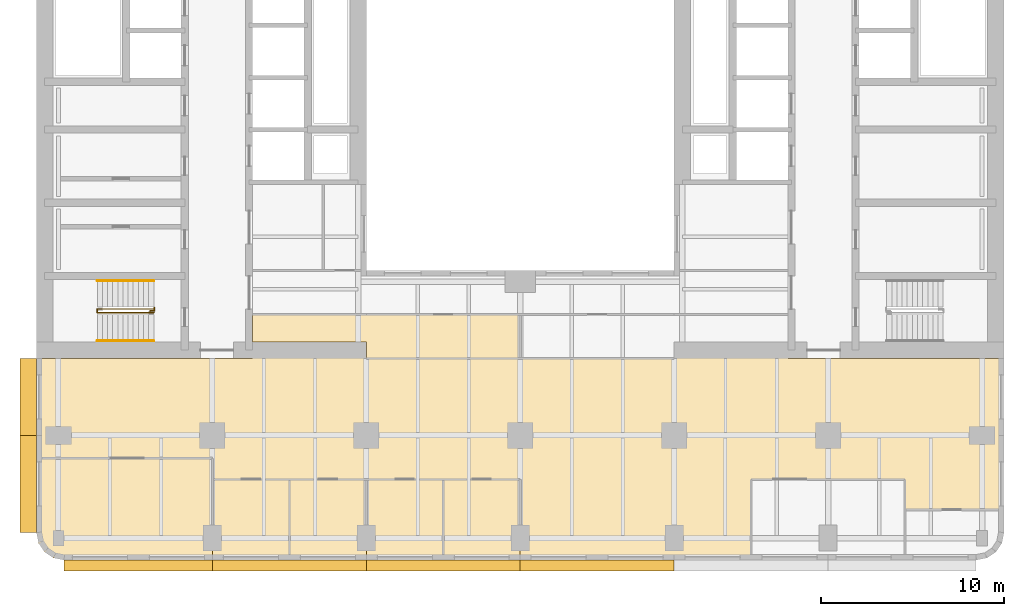
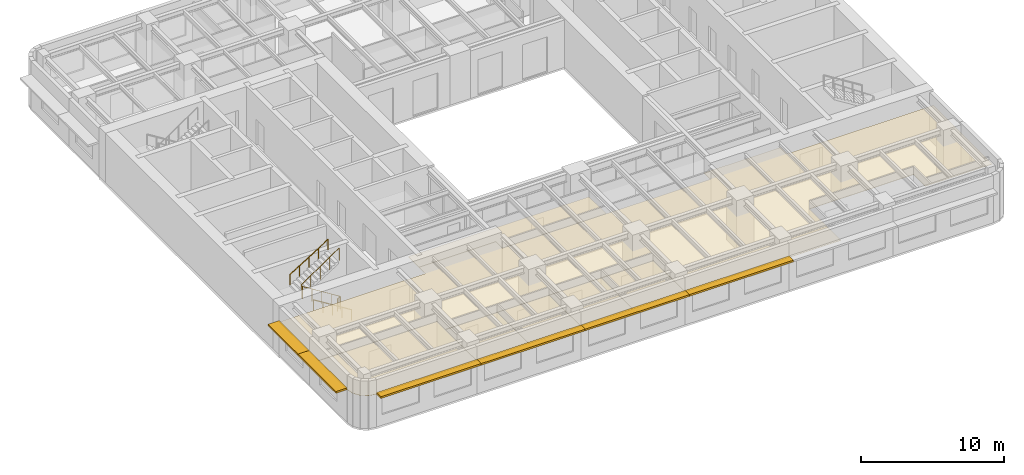
# One storey, part 9 of 11: 7 coverings, 6 shading devices, 4 railings.
"""IFC4 building model written with IfcOpenShell, lengths in metres."""

from ifc_helpers import new_model, si_unit, direction, frame, origin, origin_2d, place, context, subcontext, project, spatial, polyline, rectangle, circle, outline, extrude, material, layer, layer_set, type_object, element, save


model = new_model("IFC4")

# Units and contexts
model_context = context("Model", 3, precision=1e-05, world=origin(), true_north=direction((0.0, 1.0)))
body_context = subcontext(model_context, "Body", "Model", "MODEL_VIEW")
ifc_project = project(units=[si_unit("LENGTHUNIT", "METRE"), si_unit("AREAUNIT", "SQUARE_METRE"), si_unit("VOLUMEUNIT", "CUBIC_METRE"), si_unit("PLANEANGLEUNIT", "RADIAN"), si_unit("MASSUNIT", "GRAM", prefix="KILO")], contexts=[model_context])

# Site, building, storey
site_placement = place(None, origin())
site = spatial("IfcSite", under=ifc_project, at=site_placement, CompositionType="ELEMENT")
building_placement = place(site_placement, origin())
building = spatial("IfcBuilding", under=site, at=building_placement, Name="Claustro Exchange Tower", CompositionType="ELEMENT")
storey_placement = place(building_placement, frame((0.0, 0.0, 121.800048828125)))
storey = spatial("IfcBuildingStorey", under=building, at=storey_placement, Name="L27", CompositionType="ELEMENT", Elevation=121.800048828125)

# Coverings
ifc_material_1 = material(Name="Perforated metal ceiling tiles", Category="steel")
ifc_layer_1 = layer(ifc_material_1, 0.030029296875)
ifc_layer_set_1 = layer_set([ifc_layer_1], Name="Perforated metal ceiling tiles")
covering_type_1 = type_object("IfcCoveringType", Name="CL1 suspended metal ceiling", PredefinedType="CEILING", material=ifc_layer_set_1)
covering_1_placement = place(storey_placement, frame((0.0, 0.0, 2.800048828125)))
element("IfcCovering", 1, at=covering_1_placement, inside=storey, type_object=covering_type_1, Name="Ceiling CL1 L27-08", PredefinedType="CEILING", context=body_context, shape_type="SweptSolid", body=[
    extrude(outline(polyline([(10.60009765625, 12.60009765625), (-1.199951171875, 12.60009765625), (-1.199951171875, 7.14990234375), (8.39990234375, 7.14990234375), (8.39990234375, 6.0), (12.60009765625, 6.0), (16.800048828125, 6.0), (21.0, 6.0), (25.199951171875, 6.0), (25.199951171875, 1.60009765625), (37.800048828125, 1.60009765625), (37.800048828125, 6.0), (46.199951171875, 6.0), (46.199951171875, 4.35009765625), (51.60009765625, 4.35009765625), (51.60009765625, 12.60009765625), (39.800048828125, 12.60009765625), (39.800048828125, 13.5), (33.60009765625, 13.5), (33.60009765625, 12.60009765625), (25.199951171875, 12.60009765625), (16.800048828125, 12.60009765625), (16.800048828125, 13.5), (10.60009765625, 13.5), (10.60009765625, 12.60009765625)])), origin(), (0.0, 0.0, 1.0), 0.02978515625),
])
ifc_material_2 = material(Name="Gypsum board ceiling", Category="gypsum board")
ifc_layer_2 = layer(ifc_material_2, 0.02490234375)
ifc_layer_set_2 = layer_set([ifc_layer_2], Name="Gypsum board ceiling")
covering_type_2 = type_object("IfcCoveringType", Name="CL2 plasterboard ceiling", PredefinedType="CEILING", material=ifc_layer_set_2)
covering_2_placement = place(storey_placement, frame((0.0, 0.0, 2.800048828125)))
element("IfcCovering", 2, at=covering_2_placement, inside=storey, type_object=covering_type_2, Name="Ceiling CL2 L27-02", PredefinedType="CEILING", context=body_context, shape_type="SweptSolid", body=[
    extrude(outline(polyline([(8.39990234375, 1.60009765625), (12.60009765625, 1.60009765625), (12.60009765625, 6.0), (8.39990234375, 6.0), (8.39990234375, 1.60009765625)])), origin(), (0.0, 0.0, 1.0), 0.02490234375),
])
covering_3_placement = place(storey_placement, frame((0.0, 0.0, 2.800048828125)))
element("IfcCovering", 3, at=covering_3_placement, inside=storey, type_object=covering_type_2, Name="Ceiling CL2 L27-03", PredefinedType="CEILING", context=body_context, shape_type="SweptSolid", body=[
    extrude(outline(polyline([(12.60009765625, 1.60009765625), (16.800048828125, 1.60009765625), (16.800048828125, 6.0), (12.60009765625, 6.0), (12.60009765625, 1.60009765625)])), origin(), (0.0, 0.0, 1.0), 0.02490234375),
])
covering_4_placement = place(storey_placement, frame((0.0, 0.0, 2.800048828125)))
element("IfcCovering", 4, at=covering_4_placement, inside=storey, type_object=covering_type_2, Name="Ceiling CL2 L27-04", PredefinedType="CEILING", context=body_context, shape_type="SweptSolid", body=[
    extrude(outline(polyline([(16.800048828125, 1.60009765625), (21.0, 1.60009765625), (21.0, 6.0), (16.800048828125, 6.0), (16.800048828125, 1.60009765625)])), origin(), (0.0, 0.0, 1.0), 0.02490234375),
])
covering_5_placement = place(storey_placement, frame((0.0, 0.0, 2.800048828125)))
element("IfcCovering", 5, at=covering_5_placement, inside=storey, type_object=covering_type_2, Name="Ceiling CL2 L27-05", PredefinedType="CEILING", context=body_context, shape_type="SweptSolid", body=[
    extrude(outline(polyline([(21.0, 1.60009765625), (25.199951171875, 1.60009765625), (25.199951171875, 6.0), (21.0, 6.0), (21.0, 1.60009765625)])), origin(), (0.0, 0.0, 1.0), 0.02490234375),
])
covering_6_placement = place(storey_placement, frame((0.0, 0.0, 2.800048828125)))
element("IfcCovering", 6, at=covering_6_placement, inside=storey, type_object=covering_type_2, Name="Ceiling CL2 L27-07", PredefinedType="CEILING", context=body_context, shape_type="SweptSolid", body=[
    extrude(outline(polyline([(-1.085693359375, 2.52587890625), (-0.7607421875, 2.039306640625), (-0.27392578125, 1.714111328125), (0.300048828125, 1.60009765625), (8.39990234375, 1.60009765625), (8.39990234375, 7.14990234375), (-1.199951171875, 7.14990234375), (-1.199951171875, 3.10009765625), (-1.085693359375, 2.52587890625)])), origin(), (0.0, 0.0, 1.0), 0.02490234375),
])
covering_7_placement = place(storey_placement, frame((0.0, 0.0, 2.800048828125)))
element("IfcCovering", 7, at=covering_7_placement, inside=storey, type_object=covering_type_2, Name="Ceiling CL2 L27-09", PredefinedType="CEILING", context=body_context, shape_type="SweptSolid", body=[
    extrude(outline(polyline([(10.60009765625, 15.0), (10.60009765625, 13.5), (16.800048828125, 13.5), (16.800048828125, 12.60009765625), (25.199951171875, 12.60009765625), (25.199951171875, 15.0), (16.800048828125, 15.0), (16.800048828125, 15.0), (10.60009765625, 15.0)])), origin(), (0.0, 0.0, 1.0), 0.02490234375),
])

# Railings
ifc_material_3 = material(Name="Steel balustrade, painted", Category="steel")
railing_type_1 = type_object("IfcRailingType", Name="GR2 1100 steel stair guard", PredefinedType="GUARDRAIL", material=ifc_material_3)
railing_1_placement = place(storey_placement, frame((5.199951171875, 15.10009765625, 0.175048828125)))
element("IfcRailing", 8, at=railing_1_placement, inside=storey, type_object=railing_type_1, Name="Stair well guard GR2 stair STWA L27", PredefinedType="GUARDRAIL", context=body_context, shape_type="SweptSolid", body=[
    extrude(circle(Radius=0.02392578125, at=origin_2d()), frame((0.0, 0.0, 1.076171875), z_axis=(-0.848009633417, 0.0, 0.529980812513), x_axis=(0.0, -1.0, 0.0)), (0.0, 0.0, 1.0), 3.6318359375),
    extrude(circle(Radius=0.02392578125, at=origin_2d()), frame((-3.079833984375, 0.0, 3.0009765625), z_axis=(0.0, 1.0, 0.0), x_axis=(-1.0, 0.0, 0.0)), (0.0, 0.0, 1.0), 0.199951171875),
    extrude(circle(Radius=0.02392578125, at=origin_2d()), frame((-3.079833984375, 0.199951171875, 3.0009765625), z_axis=(0.826201015165, 0.0, 0.563375436579), x_axis=(0.0, 1.0, 0.0)), (0.0, 0.0, 1.0), 3.727783203125),
    extrude(circle(Radius=0.02099609375, at=origin_2d()), origin(), (0.0, 0.0, 1.0), 1.052001953125),
    extrude(circle(Radius=0.02099609375, at=origin_2d()), frame((-0.77001953125, 0.0, 0.481201171875)), (0.0, 0.0, 1.0), 1.052001953125),
    extrude(circle(Radius=0.02099609375, at=origin_2d()), frame((-1.5400390625, 0.0, 0.96240234375)), (0.0, 0.0, 1.0), 1.052001953125),
    extrude(circle(Radius=0.02099609375, at=origin_2d()), frame((-2.309814453125, 0.0, 1.443603515625)), (0.0, 0.0, 1.0), 1.052001953125),
    extrude(circle(Radius=0.02099609375, at=origin_2d()), frame((-3.079833984375, 0.0, 1.9248046875)), (0.0, 0.0, 1.0), 1.052001953125),
    extrude(circle(Radius=0.02099609375, at=origin_2d()), frame((-3.079833984375, 0.199951171875, 1.9248046875)), (0.0, 0.0, 1.0), 1.052001953125),
    extrude(circle(Radius=0.02099609375, at=origin_2d()), frame((-2.309814453125, 0.199951171875, 2.44970703125)), (0.0, 0.0, 1.0), 1.052001953125),
    extrude(circle(Radius=0.02099609375, at=origin_2d()), frame((-1.5400390625, 0.199951171875, 2.974853515625)), (0.0, 0.0, 1.0), 1.052001953125),
    extrude(circle(Radius=0.02099609375, at=origin_2d()), frame((-0.77001953125, 0.199951171875, 3.5)), (0.0, 0.0, 1.0), 1.052001953125),
    extrude(circle(Radius=0.02099609375, at=origin_2d()), frame((0.0, 0.199951171875, 4.02490234375)), (0.0, 0.0, 1.0), 1.052001953125),
])
railing_2_placement = place(storey_placement, frame((5.0, 15.169921875, 0.0)))
element("IfcRailing", 9, at=railing_2_placement, inside=storey, type_object=railing_type_1, Name="Stair guard GR2 STWA L27", PredefinedType="GUARDRAIL", context=body_context, shape_type="SweptSolid", body=[
    extrude(circle(Radius=0.02392578125, at=origin_2d()), frame((0.0, 0.0, 1.076171875), z_axis=(0.0, 1.0, 0.0), x_axis=(-1.0, 0.0, 0.0)), (0.0, 0.0, 1.0), 0.030029296875),
    extrude(circle(Radius=0.02392578125, at=origin_2d()), frame((0.0, 0.030029296875, 1.076171875), z_axis=(1.0, 0.0, 0.0), x_axis=(0.0, 1.0, 0.0)), (0.0, 0.0, 1.0), 0.22509765625),
    extrude(circle(Radius=0.02392578125, at=origin_2d()), frame((0.22509765625, 0.030029296875, 1.076171875), z_axis=(0.0, 1.0, 0.0), x_axis=(-1.0, 0.0, 0.0)), (0.0, 0.0, 1.0), 0.179931640625),
    extrude(circle(Radius=0.02099609375, at=origin_2d()), origin(), (0.0, 0.0, 1.0), 1.052001953125),
    extrude(circle(Radius=0.02099609375, at=origin_2d()), frame((0.0, 0.030029296875, 0.0)), (0.0, 0.0, 1.0), 1.052001953125),
    extrude(circle(Radius=0.02099609375, at=origin_2d()), frame((0.22509765625, 0.030029296875, 0.0)), (0.0, 0.0, 1.0), 1.052001953125),
    extrude(circle(Radius=0.02099609375, at=origin_2d()), frame((0.22509765625, 0.2099609375, 0.0)), (0.0, 0.0, 1.0), 1.052001953125),
])
ifc_material_4 = material(Name="Stainless steel tube", Category="steel")
railing_type_2 = type_object("IfcRailingType", Name="HR1 900 stair handrail", PredefinedType="HANDRAIL", material=ifc_material_4)
railing_3_placement = place(storey_placement, frame((5.199951171875, 13.56005859375, 0.175048828125)))
element("IfcRailing", 10, at=railing_3_placement, inside=storey, type_object=railing_type_2, Name="Handrail HR1 stair STWA L27", PredefinedType="HANDRAIL", context=body_context, shape_type="SweptSolid", body=[
    extrude(circle(Radius=0.02392578125, at=origin_2d()), frame((0.0, 0.0, 0.8759765625), z_axis=(-0.848009633417, 0.0, 0.529980812513), x_axis=(0.0, -1.0, 0.0)), (0.0, 0.0, 1.0), 3.6318359375),
    extrude(circle(Radius=0.02099609375, at=origin_2d()), origin(), (0.0, 0.0, 1.0), 0.851806640625),
    extrude(circle(Radius=0.02099609375, at=origin_2d()), frame((-0.77001953125, 0.0, 0.481201171875)), (0.0, 0.0, 1.0), 0.851806640625),
    extrude(circle(Radius=0.02099609375, at=origin_2d()), frame((-1.5400390625, 0.0, 0.96240234375)), (0.0, 0.0, 1.0), 0.851806640625),
    extrude(circle(Radius=0.02099609375, at=origin_2d()), frame((-2.309814453125, 0.0, 1.443603515625)), (0.0, 0.0, 1.0), 0.851806640625),
    extrude(circle(Radius=0.02099609375, at=origin_2d()), frame((-3.079833984375, 0.0, 1.9248046875)), (0.0, 0.0, 1.0), 0.851806640625),
])
railing_4_placement = place(storey_placement, frame((2.1201171875, 16.840087890625, 2.27490234375)))
element("IfcRailing", 11, at=railing_4_placement, inside=storey, type_object=railing_type_2, Name="Handrail HR1 stair STWA L27", PredefinedType="HANDRAIL", context=body_context, shape_type="SweptSolid", body=[
    extrude(circle(Radius=0.02392578125, at=origin_2d()), frame((0.0, 0.0, 0.8759765625), z_axis=(0.847979421464, 0.0, 0.530029150871), x_axis=(0.0, 1.0, 0.0)), (0.0, 0.0, 1.0), 3.632080078125),
    extrude(circle(Radius=0.02099609375, at=origin_2d()), origin(), (0.0, 0.0, 1.0), 0.851806640625),
    extrude(circle(Radius=0.02099609375, at=origin_2d()), frame((0.77001953125, 0.0, 0.481201171875)), (0.0, 0.0, 1.0), 0.851806640625),
    extrude(circle(Radius=0.02099609375, at=origin_2d()), frame((1.5400390625, 0.0, 0.96240234375)), (0.0, 0.0, 1.0), 0.851806640625),
    extrude(circle(Radius=0.02099609375, at=origin_2d()), frame((2.309814453125, 0.0, 1.44384765625)), (0.0, 0.0, 1.0), 0.851806640625),
    extrude(circle(Radius=0.02099609375, at=origin_2d()), frame((3.079833984375, 0.0, 1.925048828125)), (0.0, 0.0, 1.0), 0.851806640625),
])

# Shading devices
ifc_material_5 = material(Name="Concrete HA-40 (C40/50), precast, white cement, acid-etched", Category="concrete")
ifc_layer_3 = layer(ifc_material_5, 0.14990234375)
ifc_layer_set_3 = layer_set([ifc_layer_3], Name="Concrete HA-40 (C40/50), precast, white cement, acid-etched")
shading_device_type_1 = type_object("IfcShadingDeviceType", Name="SS1 600 precast concrete SUNSHADE", PredefinedType="SHUTTER", material=ifc_layer_set_3)
for number, where, z_axis, x_axis, name in (
    (12, (29.39990234375, 1.300048828125, 2.800048828125), (0.0, 0.0, 1.0), (-1.0, 0.0, 0.0), "Precast SUNSHADE SS1 L27"),
    (13, (21.0, 1.300048828125, 2.800048828125), (0.0, 0.0, 1.0), (-1.0, 0.0, 0.0), "Precast SUNSHADE SS1 L27"),
    (14, (12.60009765625, 1.300048828125, 2.800048828125), (0.0, 0.0, 1.0), (-1.0, 0.0, 0.0), "Precast SUNSHADE SS1 L27"),
):
    element("IfcShadingDevice", number, at=place(storey_placement, frame(where, z_axis=z_axis, x_axis=x_axis)), inside=storey, type_object=shading_device_type_1, Name=name, PredefinedType="SHUTTER", context=body_context, shape_type="SweptSolid", body=[
        extrude(rectangle(XDim=8.39990234375, YDim=0.60009765625, at=origin_2d()), origin(), (0.0, 0.0, 1.0), 0.14990234375),
    ])
shading_device_1_placement = place(storey_placement, frame((4.357421875, 1.300048828125, 2.800048828125), z_axis=(0.0, 0.0, 1.0), x_axis=(-1.0, 0.0, 0.0)))
element("IfcShadingDevice", 15, at=shading_device_1_placement, inside=storey, type_object=shading_device_type_1, Name="Precast SUNSHADE SS1 L27", PredefinedType="SHUTTER", context=body_context, shape_type="SweptSolid", body=[
    extrude(rectangle(XDim=8.085205078125, YDim=0.60009765625, at=origin_2d()), origin(), (0.0, 0.0, 1.0), 0.14990234375),
])
ifc_material_6 = material(Name="Concrete HA-40 (C40/50), precast, white cement, acid-etched", Category="concrete")
ifc_layer_4 = layer(ifc_material_6, 0.14990234375)
ifc_layer_set_4 = layer_set([ifc_layer_4], Name="Concrete HA-40 (C40/50), precast, white cement, acid-etched")
shading_device_type_2 = type_object("IfcShadingDeviceType", Name="SS2 900 precast concrete SUNSHADE", PredefinedType="SHUTTER", material=ifc_layer_set_4)
shading_device_2_placement = place(storey_placement, frame((-1.64990234375, 5.75732421875, 2.800048828125), z_axis=(0.0, 0.0, 1.0), x_axis=(0.0, 1.0, 0.0)))
element("IfcShadingDevice", 16, at=shading_device_2_placement, inside=storey, type_object=shading_device_type_2, Name="Precast SUNSHADE SS2 L27", PredefinedType="SHUTTER", context=body_context, shape_type="SweptSolid", body=[
    extrude(rectangle(XDim=5.28515625, YDim=0.89990234375, at=origin_2d()), origin(), (0.0, 0.0, 1.0), 0.14990234375),
])
shading_device_3_placement = place(storey_placement, frame((-1.64990234375, 10.5, 2.800048828125), z_axis=(0.0, 0.0, 1.0), x_axis=(0.0, 1.0, 0.0)))
element("IfcShadingDevice", 17, at=shading_device_3_placement, inside=storey, type_object=shading_device_type_2, Name="Precast SUNSHADE SS2 L27", PredefinedType="SHUTTER", context=body_context, shape_type="SweptSolid", body=[
    extrude(rectangle(XDim=4.199951171875, YDim=0.89990234375, at=origin_2d()), origin(), (0.0, 0.0, 1.0), 0.14990234375),
])

save(model, "model.ifc")
